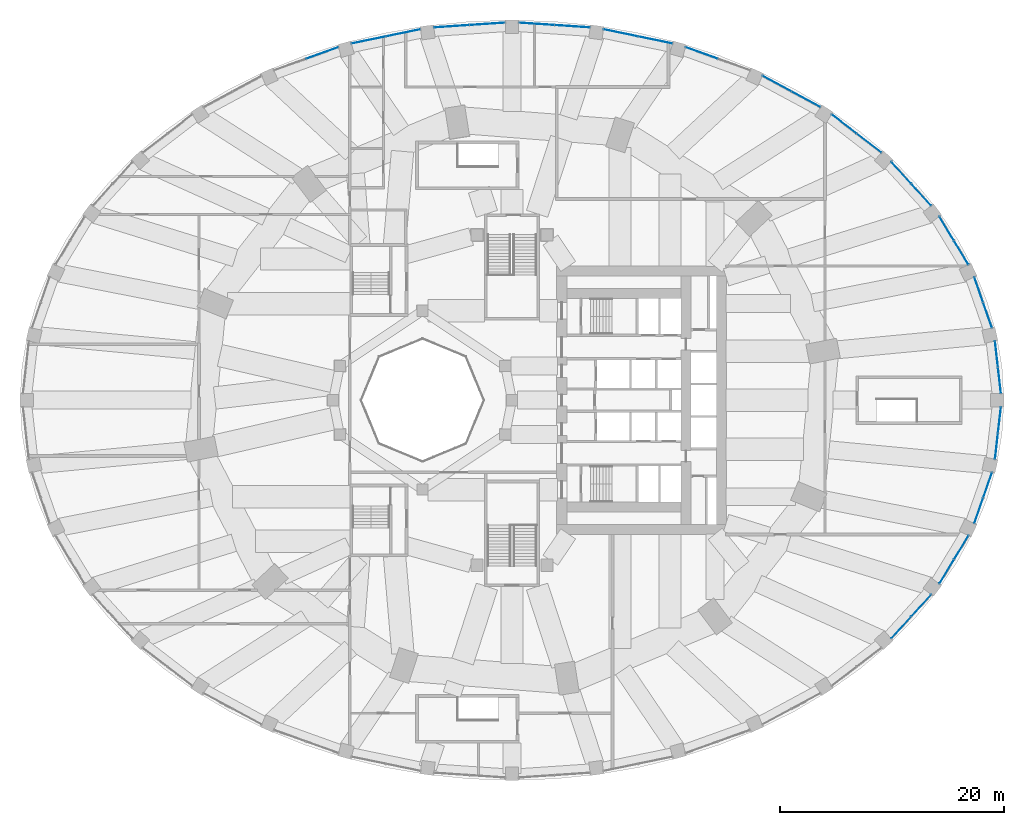
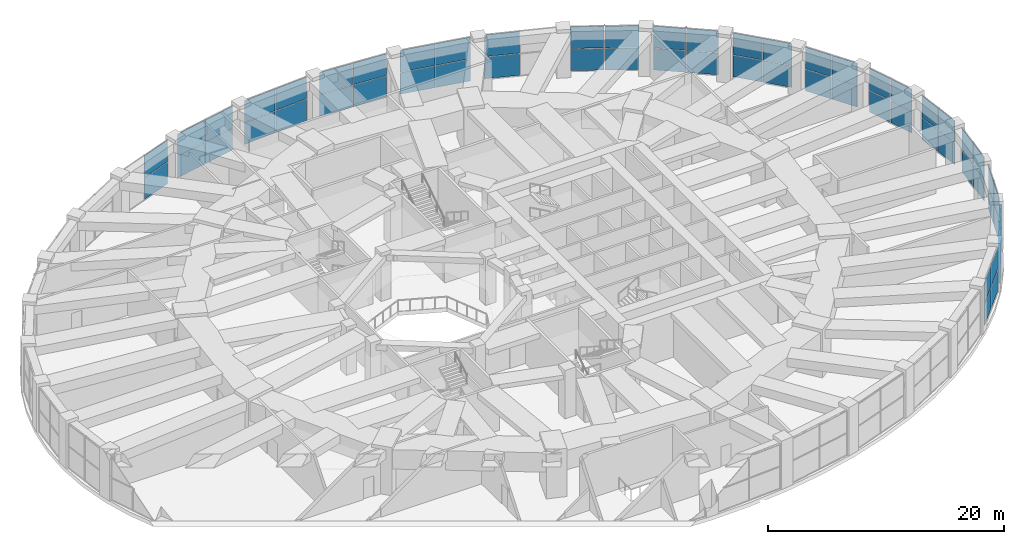
# One storey, part 20 of 30: 60 plates, 16 elements without a shape of their own.
"""IFC4 building model written with IfcOpenShell, lengths in metres."""

from ifc_helpers import new_model, si_unit, direction, frame, origin, origin_2d, place, context, subcontext, project, spatial, rectangle, extrude, material, layer, layer_set, type_object, element, aggregate, save


model = new_model("IFC4")

# Units and contexts
model_context = context("Model", 3, precision=1e-05, world=origin(), true_north=direction((0.0, 1.0)))
body_context = subcontext(model_context, "Body", "Model", "MODEL_VIEW")
ifc_project = project(units=[si_unit("LENGTHUNIT", "METRE"), si_unit("AREAUNIT", "SQUARE_METRE"), si_unit("VOLUMEUNIT", "CUBIC_METRE"), si_unit("PLANEANGLEUNIT", "RADIAN"), si_unit("MASSUNIT", "GRAM", prefix="KILO")], contexts=[model_context])

# Site, building, storey
site_placement = place(None, origin())
site = spatial("IfcSite", under=ifc_project, at=site_placement, CompositionType="ELEMENT")
building_placement = place(site_placement, origin())
building = spatial("IfcBuilding", under=site, at=building_placement, Name="Taillehof Tower", CompositionType="ELEMENT")
storey_placement = place(building_placement, frame((0.0, 0.0, 12.5)))
storey = spatial("IfcBuildingStorey", under=building, at=storey_placement, Name="L02", CompositionType="ELEMENT", Elevation=12.5)

# Curtain wall, plates
ifc_material_1 = material(Name="Aluminium curtain wall with Clear low-emissivity double glazing", Category="aluminium")
curtain_wall_type = type_object("IfcCurtainWallType", Name="Podium window wall curtain wall", PredefinedType="USERDEFINED", material=ifc_material_1)
curtain_wall_1_placement = place(storey_placement, origin())
curtain_wall_1 = element("IfcCurtainWall", 1, at=curtain_wall_1_placement, inside=storey, type_object=curtain_wall_type, Name="Podium window wall L02 bay 1", ObjectType="WINDOW WALL", PredefinedType="USERDEFINED")
ifc_material_2 = material(Name="Clear low-emissivity double glazing", Category="glass")
ifc_layer = layer(ifc_material_2, 0.028076171875)
ifc_layer_set = layer_set([ifc_layer], Name="Podium window wall glass panel 28")
plate_type = type_object("IfcPlateType", Name="Podium window wall glass panel 28", PredefinedType="CURTAIN_PANEL", material=ifc_layer_set)
plate_1_placement = place(storey_placement, frame((43.59716796875, 1.772216796875, 0.06005859375), z_axis=(0.0, 0.0, 1.0), x_axis=(-0.112932433888, 0.993602669771, 0.0)))
plate_1 = element("IfcPlate", 2, at=plate_1_placement, type_object=plate_type, Name="CT201 panel 1.1", PredefinedType="CURTAIN_PANEL", context=body_context, shape_type="SweptSolid", body=[
    extrude(rectangle(XDim=2.299560546875, YDim=0.028076171875, at=origin_2d()), origin(), (0.0, 0.0, 1.0), 2.235107421875),
])
plate_2_placement = place(storey_placement, frame((43.59716796875, 1.772216796875, 2.35498046875), z_axis=(0.0, 0.0, 1.0), x_axis=(-0.112932433888, 0.993602669771, 0.0)))
plate_2 = element("IfcPlate", 3, at=plate_2_placement, type_object=plate_type, Name="CT201 panel 1.2", PredefinedType="CURTAIN_PANEL", context=body_context, shape_type="SweptSolid", body=[
    extrude(rectangle(XDim=2.299560546875, YDim=0.028076171875, at=origin_2d()), origin(), (0.0, 0.0, 1.0), 2.235107421875),
])
plate_3_placement = place(storey_placement, frame((43.330810546875, 4.116455078125, 0.06005859375), z_axis=(0.0, 0.0, 1.0), x_axis=(-0.112932433888, 0.993602669771, 0.0)))
plate_3 = element("IfcPlate", 4, at=plate_3_placement, type_object=plate_type, Name="CT201 panel 2.1", PredefinedType="CURTAIN_PANEL", context=body_context, shape_type="SweptSolid", body=[
    extrude(rectangle(XDim=2.299560546875, YDim=0.028076171875, at=origin_2d()), origin(), (0.0, 0.0, 1.0), 2.235107421875),
])
plate_4_placement = place(storey_placement, frame((43.330810546875, 4.116455078125, 2.35498046875), z_axis=(0.0, 0.0, 1.0), x_axis=(-0.112932433888, 0.993602669771, 0.0)))
plate_4 = element("IfcPlate", 5, at=plate_4_placement, type_object=plate_type, Name="CT201 panel 2.2", PredefinedType="CURTAIN_PANEL", context=body_context, shape_type="SweptSolid", body=[
    extrude(rectangle(XDim=2.299560546875, YDim=0.028076171875, at=origin_2d()), origin(), (0.0, 0.0, 1.0), 2.235107421875),
])
aggregate(curtain_wall_1, [plate_1, plate_2, plate_3, plate_4])

curtain_wall_2_placement = place(storey_placement, origin())
curtain_wall_2 = element("IfcCurtainWall", 6, at=curtain_wall_2_placement, inside=storey, type_object=curtain_wall_type, Name="Podium window wall L02 bay 2", ObjectType="WINDOW WALL", PredefinedType="USERDEFINED")
plate_5_placement = place(storey_placement, frame((42.53369140625, 7.599853515625, 0.06005859375), z_axis=(0.0, 0.0, 1.0), x_axis=(-0.328757610934, 0.944414333464, 0.0)))
plate_5 = element("IfcPlate", 7, at=plate_5_placement, type_object=plate_type, Name="CT202 panel 1.1", PredefinedType="CURTAIN_PANEL", context=body_context, shape_type="SweptSolid", body=[
    extrude(rectangle(XDim=2.35693359375, YDim=0.028076171875, at=origin_2d()), origin(), (0.0, 0.0, 1.0), 2.235107421875),
])
plate_6_placement = place(storey_placement, frame((42.53369140625, 7.599853515625, 2.35498046875), z_axis=(0.0, 0.0, 1.0), x_axis=(-0.328757610934, 0.944414333464, 0.0)))
plate_6 = element("IfcPlate", 8, at=plate_6_placement, type_object=plate_type, Name="CT202 panel 1.2", PredefinedType="CURTAIN_PANEL", context=body_context, shape_type="SweptSolid", body=[
    extrude(rectangle(XDim=2.35693359375, YDim=0.028076171875, at=origin_2d()), origin(), (0.0, 0.0, 1.0), 2.235107421875),
])
plate_7_placement = place(storey_placement, frame((41.7392578125, 9.88232421875, 0.06005859375), z_axis=(0.0, 0.0, 1.0), x_axis=(-0.328757610934, 0.944414333464, 0.0)))
plate_7 = element("IfcPlate", 9, at=plate_7_placement, type_object=plate_type, Name="CT202 panel 2.1", PredefinedType="CURTAIN_PANEL", context=body_context, shape_type="SweptSolid", body=[
    extrude(rectangle(XDim=2.35693359375, YDim=0.028076171875, at=origin_2d()), origin(), (0.0, 0.0, 1.0), 2.235107421875),
])
plate_8_placement = place(storey_placement, frame((41.7392578125, 9.88232421875, 2.35498046875), z_axis=(0.0, 0.0, 1.0), x_axis=(-0.328757610934, 0.944414333464, 0.0)))
plate_8 = element("IfcPlate", 10, at=plate_8_placement, type_object=plate_type, Name="CT202 panel 2.2", PredefinedType="CURTAIN_PANEL", context=body_context, shape_type="SweptSolid", body=[
    extrude(rectangle(XDim=2.35693359375, YDim=0.028076171875, at=origin_2d()), origin(), (0.0, 0.0, 1.0), 2.235107421875),
])
aggregate(curtain_wall_2, [plate_5, plate_6, plate_7, plate_8])

curtain_wall_3_placement = place(storey_placement, origin())
curtain_wall_3 = element("IfcCurtainWall", 11, at=curtain_wall_3_placement, inside=storey, type_object=curtain_wall_type, Name="Podium window wall L02 bay 3", ObjectType="WINDOW WALL", PredefinedType="USERDEFINED")
plate_9_placement = place(storey_placement, frame((40.177490234375, 13.18798828125, 0.06005859375), z_axis=(0.0, 0.0, 1.0), x_axis=(-0.518151483931, 0.855288863309, 0.0)))
plate_9 = element("IfcPlate", 12, at=plate_9_placement, type_object=plate_type, Name="CT203 panel 1.1", PredefinedType="CURTAIN_PANEL", context=body_context, shape_type="SweptSolid", body=[
    extrude(rectangle(XDim=2.4619140625, YDim=0.028076171875, at=origin_2d()), origin(), (0.0, 0.0, 1.0), 2.235107421875),
])
plate_10_placement = place(storey_placement, frame((40.177490234375, 13.18798828125, 2.35498046875), z_axis=(0.0, 0.0, 1.0), x_axis=(-0.518151483931, 0.855288863309, 0.0)))
plate_10 = element("IfcPlate", 13, at=plate_10_placement, type_object=plate_type, Name="CT203 panel 1.2", PredefinedType="CURTAIN_PANEL", context=body_context, shape_type="SweptSolid", body=[
    extrude(rectangle(XDim=2.4619140625, YDim=0.028076171875, at=origin_2d()), origin(), (0.0, 0.0, 1.0), 2.235107421875),
])
plate_11_placement = place(storey_placement, frame((38.870849609375, 15.3447265625, 0.06005859375), z_axis=(0.0, 0.0, 1.0), x_axis=(-0.518151483931, 0.855288863309, 0.0)))
plate_11 = element("IfcPlate", 14, at=plate_11_placement, type_object=plate_type, Name="CT203 panel 2.1", PredefinedType="CURTAIN_PANEL", context=body_context, shape_type="SweptSolid", body=[
    extrude(rectangle(XDim=2.4619140625, YDim=0.028076171875, at=origin_2d()), origin(), (0.0, 0.0, 1.0), 2.235107421875),
])
plate_12_placement = place(storey_placement, frame((38.870849609375, 15.3447265625, 2.35498046875), z_axis=(0.0, 0.0, 1.0), x_axis=(-0.518151483931, 0.855288863309, 0.0)))
plate_12 = element("IfcPlate", 15, at=plate_12_placement, type_object=plate_type, Name="CT203 panel 2.2", PredefinedType="CURTAIN_PANEL", context=body_context, shape_type="SweptSolid", body=[
    extrude(rectangle(XDim=2.4619140625, YDim=0.028076171875, at=origin_2d()), origin(), (0.0, 0.0, 1.0), 2.235107421875),
])
aggregate(curtain_wall_3, [plate_9, plate_10, plate_11, plate_12])

curtain_wall_4_placement = place(storey_placement, origin())
curtain_wall_4 = element("IfcCurtainWall", 16, at=curtain_wall_4_placement, inside=storey, type_object=curtain_wall_type, Name="Podium window wall L02 bay 4", ObjectType="WINDOW WALL", PredefinedType="USERDEFINED")
plate_13_placement = place(storey_placement, frame((36.605224609375, 18.367919921875, 0.06005859375), z_axis=(0.0, 0.0, 1.0), x_axis=(-0.672928961769, 0.739707112587, 0.0)))
plate_13 = element("IfcPlate", 17, at=plate_13_placement, type_object=plate_type, Name="CT204 panel 1.1", PredefinedType="CURTAIN_PANEL", context=body_context, shape_type="SweptSolid", body=[
    extrude(rectangle(XDim=2.59814453125, YDim=0.028076171875, at=origin_2d()), origin(), (0.0, 0.0, 1.0), 2.235107421875),
])
plate_14_placement = place(storey_placement, frame((36.605224609375, 18.367919921875, 2.35498046875), z_axis=(0.0, 0.0, 1.0), x_axis=(-0.672928961769, 0.739707112587, 0.0)))
plate_14 = element("IfcPlate", 18, at=plate_14_placement, type_object=plate_type, Name="CT204 panel 1.2", PredefinedType="CURTAIN_PANEL", context=body_context, shape_type="SweptSolid", body=[
    extrude(rectangle(XDim=2.59814453125, YDim=0.028076171875, at=origin_2d()), origin(), (0.0, 0.0, 1.0), 2.235107421875),
])
plate_15_placement = place(storey_placement, frame((34.81640625, 20.333984375, 0.06005859375), z_axis=(0.0, 0.0, 1.0), x_axis=(-0.672928961769, 0.739707112587, 0.0)))
plate_15 = element("IfcPlate", 19, at=plate_15_placement, type_object=plate_type, Name="CT204 panel 2.1", PredefinedType="CURTAIN_PANEL", context=body_context, shape_type="SweptSolid", body=[
    extrude(rectangle(XDim=2.59814453125, YDim=0.028076171875, at=origin_2d()), origin(), (0.0, 0.0, 1.0), 2.235107421875),
])
plate_16_placement = place(storey_placement, frame((34.81640625, 20.333984375, 2.35498046875), z_axis=(0.0, 0.0, 1.0), x_axis=(-0.672928961769, 0.739707112587, 0.0)))
plate_16 = element("IfcPlate", 20, at=plate_16_placement, type_object=plate_type, Name="CT204 panel 2.2", PredefinedType="CURTAIN_PANEL", context=body_context, shape_type="SweptSolid", body=[
    extrude(rectangle(XDim=2.59814453125, YDim=0.028076171875, at=origin_2d()), origin(), (0.0, 0.0, 1.0), 2.235107421875),
])
aggregate(curtain_wall_4, [plate_13, plate_14, plate_15, plate_16])

curtain_wall_5_placement = place(storey_placement, origin())
curtain_wall_5 = element("IfcCurtainWall", 21, at=curtain_wall_5_placement, inside=storey, type_object=curtain_wall_type, Name="Podium window wall L02 bay 5", ObjectType="WINDOW WALL", PredefinedType="USERDEFINED")
plate_17_placement = place(storey_placement, frame((31.927490234375, 22.986083984375, 0.06005859375), z_axis=(0.0, 0.0, 1.0), x_axis=(-0.792453709228, 0.60993206075, 0.0)))
plate_17 = element("IfcPlate", 22, at=plate_17_placement, type_object=plate_type, Name="CT205 panel 1.1", PredefinedType="CURTAIN_PANEL", context=body_context, shape_type="SweptSolid", body=[
    extrude(rectangle(XDim=2.74658203125, YDim=0.028076171875, at=origin_2d()), origin(), (0.0, 0.0, 1.0), 2.235107421875),
])
plate_18_placement = place(storey_placement, frame((31.927490234375, 22.986083984375, 2.35498046875), z_axis=(0.0, 0.0, 1.0), x_axis=(-0.792453709228, 0.60993206075, 0.0)))
plate_18 = element("IfcPlate", 23, at=plate_18_placement, type_object=plate_type, Name="CT205 panel 1.2", PredefinedType="CURTAIN_PANEL", context=body_context, shape_type="SweptSolid", body=[
    extrude(rectangle(XDim=2.74658203125, YDim=0.028076171875, at=origin_2d()), origin(), (0.0, 0.0, 1.0), 2.235107421875),
])
plate_19_placement = place(storey_placement, frame((29.703369140625, 24.697998046875, 0.06005859375), z_axis=(0.0, 0.0, 1.0), x_axis=(-0.792453709228, 0.60993206075, 0.0)))
plate_19 = element("IfcPlate", 24, at=plate_19_placement, type_object=plate_type, Name="CT205 panel 2.1", PredefinedType="CURTAIN_PANEL", context=body_context, shape_type="SweptSolid", body=[
    extrude(rectangle(XDim=2.74658203125, YDim=0.028076171875, at=origin_2d()), origin(), (0.0, 0.0, 1.0), 2.235107421875),
])
plate_20_placement = place(storey_placement, frame((29.703369140625, 24.697998046875, 2.35498046875), z_axis=(0.0, 0.0, 1.0), x_axis=(-0.792453709228, 0.60993206075, 0.0)))
plate_20 = element("IfcPlate", 25, at=plate_20_placement, type_object=plate_type, Name="CT205 panel 2.2", PredefinedType="CURTAIN_PANEL", context=body_context, shape_type="SweptSolid", body=[
    extrude(rectangle(XDim=2.74658203125, YDim=0.028076171875, at=origin_2d()), origin(), (0.0, 0.0, 1.0), 2.235107421875),
])
aggregate(curtain_wall_5, [plate_17, plate_18, plate_19, plate_20])

curtain_wall_6_placement = place(storey_placement, origin())
curtain_wall_6 = element("IfcCurtainWall", 26, at=curtain_wall_6_placement, inside=storey, type_object=curtain_wall_type, Name="Podium window wall L02 bay 6", ObjectType="WINDOW WALL", PredefinedType="USERDEFINED")
plate_21_placement = place(storey_placement, frame((26.286376953125, 26.906005859375, 0.06005859375), z_axis=(0.0, 0.0, 1.0), x_axis=(-0.880301433958, 0.474414781992, 0.0)))
plate_21 = element("IfcPlate", 27, at=plate_21_placement, type_object=plate_type, Name="CT206 panel 1.1", PredefinedType="CURTAIN_PANEL", context=body_context, shape_type="SweptSolid", body=[
    extrude(rectangle(XDim=2.888916015625, YDim=0.028076171875, at=origin_2d()), origin(), (0.0, 0.0, 1.0), 2.235107421875),
])
plate_22_placement = place(storey_placement, frame((26.286376953125, 26.906005859375, 2.35498046875), z_axis=(0.0, 0.0, 1.0), x_axis=(-0.880301433958, 0.474414781992, 0.0)))
plate_22 = element("IfcPlate", 28, at=plate_22_placement, type_object=plate_type, Name="CT206 panel 1.2", PredefinedType="CURTAIN_PANEL", context=body_context, shape_type="SweptSolid", body=[
    extrude(rectangle(XDim=2.888916015625, YDim=0.028076171875, at=origin_2d()), origin(), (0.0, 0.0, 1.0), 2.235107421875),
])
plate_23_placement = place(storey_placement, frame((23.6904296875, 28.30517578125, 0.06005859375), z_axis=(0.0, 0.0, 1.0), x_axis=(-0.880301433958, 0.474414781992, 0.0)))
plate_23 = element("IfcPlate", 29, at=plate_23_placement, type_object=plate_type, Name="CT206 panel 2.1", PredefinedType="CURTAIN_PANEL", context=body_context, shape_type="SweptSolid", body=[
    extrude(rectangle(XDim=2.888916015625, YDim=0.028076171875, at=origin_2d()), origin(), (0.0, 0.0, 1.0), 2.235107421875),
])
plate_24_placement = place(storey_placement, frame((23.6904296875, 28.30517578125, 2.35498046875), z_axis=(0.0, 0.0, 1.0), x_axis=(-0.880301433958, 0.474414781992, 0.0)))
plate_24 = element("IfcPlate", 30, at=plate_24_placement, type_object=plate_type, Name="CT206 panel 2.2", PredefinedType="CURTAIN_PANEL", context=body_context, shape_type="SweptSolid", body=[
    extrude(rectangle(XDim=2.888916015625, YDim=0.028076171875, at=origin_2d()), origin(), (0.0, 0.0, 1.0), 2.235107421875),
])
aggregate(curtain_wall_6, [plate_21, plate_22, plate_23, plate_24])

curtain_wall_7_placement = place(storey_placement, origin())
curtain_wall_7 = element("IfcCurtainWall", 31, at=curtain_wall_7_placement, inside=storey, type_object=curtain_wall_type, Name="Podium window wall L02 bay 7", ObjectType="WINDOW WALL", PredefinedType="USERDEFINED")
plate_25_placement = place(storey_placement, frame((16.962646484375, 31.048583984375, 0.06005859375), z_axis=(0.0, 0.0, 1.0), x_axis=(-0.94121845058, 0.337798502496, 0.0)))
plate_25 = element("IfcPlate", 32, at=plate_25_placement, type_object=plate_type, Name="CT207 panel 2.1", PredefinedType="CURTAIN_PANEL", context=body_context, shape_type="SweptSolid", body=[
    extrude(rectangle(XDim=3.009765625, YDim=0.028076171875, at=origin_2d()), origin(), (0.0, 0.0, 1.0), 2.235107421875),
])
plate_26_placement = place(storey_placement, frame((16.962646484375, 31.048583984375, 2.35498046875), z_axis=(0.0, 0.0, 1.0), x_axis=(-0.94121845058, 0.337798502496, 0.0)))
plate_26 = element("IfcPlate", 33, at=plate_26_placement, type_object=plate_type, Name="CT207 panel 2.2", PredefinedType="CURTAIN_PANEL", context=body_context, shape_type="SweptSolid", body=[
    extrude(rectangle(XDim=3.009765625, YDim=0.028076171875, at=origin_2d()), origin(), (0.0, 0.0, 1.0), 2.235107421875),
])
aggregate(curtain_wall_7, [plate_25, plate_26])

curtain_wall_8_placement = place(storey_placement, origin())
curtain_wall_8 = element("IfcCurtainWall", 34, at=curtain_wall_8_placement, inside=storey, type_object=curtain_wall_type, Name="Podium window wall L02 bay 8", ObjectType="WINDOW WALL", PredefinedType="USERDEFINED")
plate_27_placement = place(storey_placement, frame((12.81689453125, 32.210693359375, 0.06005859375), z_axis=(0.0, 0.0, 1.0), x_axis=(-0.97939047099, 0.201976001877, 0.0)))
plate_27 = element("IfcPlate", 35, at=plate_27_placement, type_object=plate_type, Name="CT208 panel 1.1", PredefinedType="CURTAIN_PANEL", context=body_context, shape_type="SweptSolid", body=[
    extrude(rectangle(XDim=3.0966796875, YDim=0.028076171875, at=origin_2d()), origin(), (0.0, 0.0, 1.0), 2.235107421875),
])
plate_28_placement = place(storey_placement, frame((12.81689453125, 32.210693359375, 2.35498046875), z_axis=(0.0, 0.0, 1.0), x_axis=(-0.97939047099, 0.201976001877, 0.0)))
plate_28 = element("IfcPlate", 36, at=plate_28_placement, type_object=plate_type, Name="CT208 panel 1.2", PredefinedType="CURTAIN_PANEL", context=body_context, shape_type="SweptSolid", body=[
    extrude(rectangle(XDim=3.0966796875, YDim=0.028076171875, at=origin_2d()), origin(), (0.0, 0.0, 1.0), 2.235107421875),
])
plate_29_placement = place(storey_placement, frame((9.72509765625, 32.84814453125, 0.06005859375), z_axis=(0.0, 0.0, 1.0), x_axis=(-0.97939047099, 0.201976001877, 0.0)))
plate_29 = element("IfcPlate", 37, at=plate_29_placement, type_object=plate_type, Name="CT208 panel 2.1", PredefinedType="CURTAIN_PANEL", context=body_context, shape_type="SweptSolid", body=[
    extrude(rectangle(XDim=3.0966796875, YDim=0.028076171875, at=origin_2d()), origin(), (0.0, 0.0, 1.0), 2.235107421875),
])
plate_30_placement = place(storey_placement, frame((9.72509765625, 32.84814453125, 2.35498046875), z_axis=(0.0, 0.0, 1.0), x_axis=(-0.97939047099, 0.201976001877, 0.0)))
plate_30 = element("IfcPlate", 38, at=plate_30_placement, type_object=plate_type, Name="CT208 panel 2.2", PredefinedType="CURTAIN_PANEL", context=body_context, shape_type="SweptSolid", body=[
    extrude(rectangle(XDim=3.0966796875, YDim=0.028076171875, at=origin_2d()), origin(), (0.0, 0.0, 1.0), 2.235107421875),
])
aggregate(curtain_wall_8, [plate_27, plate_28, plate_29, plate_30])

curtain_wall_9_placement = place(storey_placement, origin())
curtain_wall_9 = element("IfcCurtainWall", 39, at=curtain_wall_9_placement, inside=storey, type_object=curtain_wall_type, Name="Podium window wall L02 bay 9", ObjectType="WINDOW WALL", PredefinedType="USERDEFINED")
plate_31_placement = place(storey_placement, frame((5.392578125, 33.4365234375, 0.06005859375), z_axis=(0.0, 0.0, 1.0), x_axis=(-0.997740670644, 0.067182989977, 0.0)))
plate_31 = element("IfcPlate", 40, at=plate_31_placement, type_object=plate_type, Name="CT209 panel 1.1", PredefinedType="CURTAIN_PANEL", context=body_context, shape_type="SweptSolid", body=[
    extrude(rectangle(XDim=3.142333984375, YDim=0.028076171875, at=origin_2d()), origin(), (0.0, 0.0, 1.0), 2.235107421875),
])
plate_32_placement = place(storey_placement, frame((5.392578125, 33.4365234375, 2.35498046875), z_axis=(0.0, 0.0, 1.0), x_axis=(-0.997740670644, 0.067182989977, 0.0)))
plate_32 = element("IfcPlate", 41, at=plate_32_placement, type_object=plate_type, Name="CT209 panel 1.2", PredefinedType="CURTAIN_PANEL", context=body_context, shape_type="SweptSolid", body=[
    extrude(rectangle(XDim=3.142333984375, YDim=0.028076171875, at=origin_2d()), origin(), (0.0, 0.0, 1.0), 2.235107421875),
])
plate_33_placement = place(storey_placement, frame((2.197509765625, 33.651611328125, 0.06005859375), z_axis=(0.0, 0.0, 1.0), x_axis=(-0.997740670644, 0.067182989977, 0.0)))
plate_33 = element("IfcPlate", 42, at=plate_33_placement, type_object=plate_type, Name="CT209 panel 2.1", PredefinedType="CURTAIN_PANEL", context=body_context, shape_type="SweptSolid", body=[
    extrude(rectangle(XDim=3.142333984375, YDim=0.028076171875, at=origin_2d()), origin(), (0.0, 0.0, 1.0), 2.235107421875),
])
plate_34_placement = place(storey_placement, frame((2.197509765625, 33.651611328125, 2.35498046875), z_axis=(0.0, 0.0, 1.0), x_axis=(-0.997740670644, 0.067182989977, 0.0)))
plate_34 = element("IfcPlate", 43, at=plate_34_placement, type_object=plate_type, Name="CT209 panel 2.2", PredefinedType="CURTAIN_PANEL", context=body_context, shape_type="SweptSolid", body=[
    extrude(rectangle(XDim=3.142333984375, YDim=0.028076171875, at=origin_2d()), origin(), (0.0, 0.0, 1.0), 2.235107421875),
])
aggregate(curtain_wall_9, [plate_31, plate_32, plate_33, plate_34])

curtain_wall_10_placement = place(storey_placement, origin())
curtain_wall_10 = element("IfcCurtainWall", 44, at=curtain_wall_10_placement, inside=storey, type_object=curtain_wall_type, Name="Podium window wall L02 bay 10", ObjectType="WINDOW WALL", PredefinedType="USERDEFINED")
plate_35_placement = place(storey_placement, frame((-2.197509765625, 33.651611328125, 0.06005859375), z_axis=(0.0, 0.0, 1.0), x_axis=(-0.997740670644, -0.067182989977, 0.0)))
plate_35 = element("IfcPlate", 45, at=plate_35_placement, type_object=plate_type, Name="CT210 panel 1.1", PredefinedType="CURTAIN_PANEL", context=body_context, shape_type="SweptSolid", body=[
    extrude(rectangle(XDim=3.142333984375, YDim=0.028076171875, at=origin_2d()), origin(), (0.0, 0.0, 1.0), 2.235107421875),
])
plate_36_placement = place(storey_placement, frame((-2.197509765625, 33.651611328125, 2.35498046875), z_axis=(0.0, 0.0, 1.0), x_axis=(-0.997740670644, -0.067182989977, 0.0)))
plate_36 = element("IfcPlate", 46, at=plate_36_placement, type_object=plate_type, Name="CT210 panel 1.2", PredefinedType="CURTAIN_PANEL", context=body_context, shape_type="SweptSolid", body=[
    extrude(rectangle(XDim=3.142333984375, YDim=0.028076171875, at=origin_2d()), origin(), (0.0, 0.0, 1.0), 2.235107421875),
])
plate_37_placement = place(storey_placement, frame((-5.392578125, 33.4365234375, 0.06005859375), z_axis=(0.0, 0.0, 1.0), x_axis=(-0.997740670644, -0.067182989977, 0.0)))
plate_37 = element("IfcPlate", 47, at=plate_37_placement, type_object=plate_type, Name="CT210 panel 2.1", PredefinedType="CURTAIN_PANEL", context=body_context, shape_type="SweptSolid", body=[
    extrude(rectangle(XDim=3.142333984375, YDim=0.028076171875, at=origin_2d()), origin(), (0.0, 0.0, 1.0), 2.235107421875),
])
plate_38_placement = place(storey_placement, frame((-5.392578125, 33.4365234375, 2.35498046875), z_axis=(0.0, 0.0, 1.0), x_axis=(-0.997740670644, -0.067182989977, 0.0)))
plate_38 = element("IfcPlate", 48, at=plate_38_placement, type_object=plate_type, Name="CT210 panel 2.2", PredefinedType="CURTAIN_PANEL", context=body_context, shape_type="SweptSolid", body=[
    extrude(rectangle(XDim=3.142333984375, YDim=0.028076171875, at=origin_2d()), origin(), (0.0, 0.0, 1.0), 2.235107421875),
])
aggregate(curtain_wall_10, [plate_35, plate_36, plate_37, plate_38])

curtain_wall_11_placement = place(storey_placement, origin())
curtain_wall_11 = element("IfcCurtainWall", 49, at=curtain_wall_11_placement, inside=storey, type_object=curtain_wall_type, Name="Podium window wall L02 bay 11", ObjectType="WINDOW WALL", PredefinedType="USERDEFINED")
plate_39_placement = place(storey_placement, frame((-9.72509765625, 32.84814453125, 0.06005859375), z_axis=(0.0, 0.0, 1.0), x_axis=(-0.97939047099, -0.201976001877, 0.0)))
plate_39 = element("IfcPlate", 50, at=plate_39_placement, type_object=plate_type, Name="CT211 panel 1.1", PredefinedType="CURTAIN_PANEL", context=body_context, shape_type="SweptSolid", body=[
    extrude(rectangle(XDim=3.0966796875, YDim=0.028076171875, at=origin_2d()), origin(), (0.0, 0.0, 1.0), 2.235107421875),
])
plate_40_placement = place(storey_placement, frame((-9.72509765625, 32.84814453125, 2.35498046875), z_axis=(0.0, 0.0, 1.0), x_axis=(-0.97939047099, -0.201976001877, 0.0)))
plate_40 = element("IfcPlate", 51, at=plate_40_placement, type_object=plate_type, Name="CT211 panel 1.2", PredefinedType="CURTAIN_PANEL", context=body_context, shape_type="SweptSolid", body=[
    extrude(rectangle(XDim=3.0966796875, YDim=0.028076171875, at=origin_2d()), origin(), (0.0, 0.0, 1.0), 2.235107421875),
])
plate_41_placement = place(storey_placement, frame((-12.81689453125, 32.210693359375, 0.06005859375), z_axis=(0.0, 0.0, 1.0), x_axis=(-0.97939047099, -0.201976001877, 0.0)))
plate_41 = element("IfcPlate", 52, at=plate_41_placement, type_object=plate_type, Name="CT211 panel 2.1", PredefinedType="CURTAIN_PANEL", context=body_context, shape_type="SweptSolid", body=[
    extrude(rectangle(XDim=3.0966796875, YDim=0.028076171875, at=origin_2d()), origin(), (0.0, 0.0, 1.0), 2.235107421875),
])
plate_42_placement = place(storey_placement, frame((-12.81689453125, 32.210693359375, 2.35498046875), z_axis=(0.0, 0.0, 1.0), x_axis=(-0.97939047099, -0.201976001877, 0.0)))
plate_42 = element("IfcPlate", 53, at=plate_42_placement, type_object=plate_type, Name="CT211 panel 2.2", PredefinedType="CURTAIN_PANEL", context=body_context, shape_type="SweptSolid", body=[
    extrude(rectangle(XDim=3.0966796875, YDim=0.028076171875, at=origin_2d()), origin(), (0.0, 0.0, 1.0), 2.235107421875),
])
aggregate(curtain_wall_11, [plate_39, plate_40, plate_41, plate_42])

curtain_wall_12_placement = place(storey_placement, origin())
curtain_wall_12 = element("IfcCurtainWall", 54, at=curtain_wall_12_placement, inside=storey, type_object=curtain_wall_type, Name="Podium window wall L02 bay 12", ObjectType="WINDOW WALL", PredefinedType="USERDEFINED")
plate_43_placement = place(storey_placement, frame((-16.962646484375, 31.048583984375, 0.06005859375), z_axis=(0.0, 0.0, 1.0), x_axis=(-0.94121845058, -0.337798502496, 0.0)))
plate_43 = element("IfcPlate", 55, at=plate_43_placement, type_object=plate_type, Name="CT212 panel 1.1", PredefinedType="CURTAIN_PANEL", context=body_context, shape_type="SweptSolid", body=[
    extrude(rectangle(XDim=3.009765625, YDim=0.028076171875, at=origin_2d()), origin(), (0.0, 0.0, 1.0), 2.235107421875),
])
plate_44_placement = place(storey_placement, frame((-16.962646484375, 31.048583984375, 2.35498046875), z_axis=(0.0, 0.0, 1.0), x_axis=(-0.94121845058, -0.337798502496, 0.0)))
plate_44 = element("IfcPlate", 56, at=plate_44_placement, type_object=plate_type, Name="CT212 panel 1.2", PredefinedType="CURTAIN_PANEL", context=body_context, shape_type="SweptSolid", body=[
    extrude(rectangle(XDim=3.009765625, YDim=0.028076171875, at=origin_2d()), origin(), (0.0, 0.0, 1.0), 2.235107421875),
])
aggregate(curtain_wall_12, [plate_43, plate_44])

curtain_wall_13_placement = place(storey_placement, origin())
curtain_wall_13 = element("IfcCurtainWall", 57, at=curtain_wall_13_placement, inside=storey, type_object=curtain_wall_type, Name="Podium window wall L02 bay 33", ObjectType="WINDOW WALL", PredefinedType="USERDEFINED")
plate_45_placement = place(storey_placement, frame((34.81640625, -20.333984375, 0.06005859375), z_axis=(0.0, 0.0, 1.0), x_axis=(0.672928961769, 0.739707112587, 0.0)))
plate_45 = element("IfcPlate", 58, at=plate_45_placement, type_object=plate_type, Name="CT233 panel 1.1", PredefinedType="CURTAIN_PANEL", context=body_context, shape_type="SweptSolid", body=[
    extrude(rectangle(XDim=2.59814453125, YDim=0.028076171875, at=origin_2d()), origin(), (0.0, 0.0, 1.0), 2.235107421875),
])
plate_46_placement = place(storey_placement, frame((34.81640625, -20.333984375, 2.35498046875), z_axis=(0.0, 0.0, 1.0), x_axis=(0.672928961769, 0.739707112587, 0.0)))
plate_46 = element("IfcPlate", 59, at=plate_46_placement, type_object=plate_type, Name="CT233 panel 1.2", PredefinedType="CURTAIN_PANEL", context=body_context, shape_type="SweptSolid", body=[
    extrude(rectangle(XDim=2.59814453125, YDim=0.028076171875, at=origin_2d()), origin(), (0.0, 0.0, 1.0), 2.235107421875),
])
plate_47_placement = place(storey_placement, frame((36.605224609375, -18.367919921875, 0.06005859375), z_axis=(0.0, 0.0, 1.0), x_axis=(0.672928961769, 0.739707112587, 0.0)))
plate_47 = element("IfcPlate", 60, at=plate_47_placement, type_object=plate_type, Name="CT233 panel 2.1", PredefinedType="CURTAIN_PANEL", context=body_context, shape_type="SweptSolid", body=[
    extrude(rectangle(XDim=2.59814453125, YDim=0.028076171875, at=origin_2d()), origin(), (0.0, 0.0, 1.0), 2.235107421875),
])
plate_48_placement = place(storey_placement, frame((36.605224609375, -18.367919921875, 2.35498046875), z_axis=(0.0, 0.0, 1.0), x_axis=(0.672928961769, 0.739707112587, 0.0)))
plate_48 = element("IfcPlate", 61, at=plate_48_placement, type_object=plate_type, Name="CT233 panel 2.2", PredefinedType="CURTAIN_PANEL", context=body_context, shape_type="SweptSolid", body=[
    extrude(rectangle(XDim=2.59814453125, YDim=0.028076171875, at=origin_2d()), origin(), (0.0, 0.0, 1.0), 2.235107421875),
])
aggregate(curtain_wall_13, [plate_45, plate_46, plate_47, plate_48])

curtain_wall_14_placement = place(storey_placement, origin())
curtain_wall_14 = element("IfcCurtainWall", 62, at=curtain_wall_14_placement, inside=storey, type_object=curtain_wall_type, Name="Podium window wall L02 bay 34", ObjectType="WINDOW WALL", PredefinedType="USERDEFINED")
plate_49_placement = place(storey_placement, frame((38.870849609375, -15.3447265625, 0.06005859375), z_axis=(0.0, 0.0, 1.0), x_axis=(0.518151483931, 0.855288863309, 0.0)))
plate_49 = element("IfcPlate", 63, at=plate_49_placement, type_object=plate_type, Name="CT234 panel 1.1", PredefinedType="CURTAIN_PANEL", context=body_context, shape_type="SweptSolid", body=[
    extrude(rectangle(XDim=2.4619140625, YDim=0.028076171875, at=origin_2d()), origin(), (0.0, 0.0, 1.0), 2.235107421875),
])
plate_50_placement = place(storey_placement, frame((38.870849609375, -15.3447265625, 2.35498046875), z_axis=(0.0, 0.0, 1.0), x_axis=(0.518151483931, 0.855288863309, 0.0)))
plate_50 = element("IfcPlate", 64, at=plate_50_placement, type_object=plate_type, Name="CT234 panel 1.2", PredefinedType="CURTAIN_PANEL", context=body_context, shape_type="SweptSolid", body=[
    extrude(rectangle(XDim=2.4619140625, YDim=0.028076171875, at=origin_2d()), origin(), (0.0, 0.0, 1.0), 2.235107421875),
])
plate_51_placement = place(storey_placement, frame((40.177490234375, -13.18798828125, 0.06005859375), z_axis=(0.0, 0.0, 1.0), x_axis=(0.518151483931, 0.855288863309, 0.0)))
plate_51 = element("IfcPlate", 65, at=plate_51_placement, type_object=plate_type, Name="CT234 panel 2.1", PredefinedType="CURTAIN_PANEL", context=body_context, shape_type="SweptSolid", body=[
    extrude(rectangle(XDim=2.4619140625, YDim=0.028076171875, at=origin_2d()), origin(), (0.0, 0.0, 1.0), 2.235107421875),
])
plate_52_placement = place(storey_placement, frame((40.177490234375, -13.18798828125, 2.35498046875), z_axis=(0.0, 0.0, 1.0), x_axis=(0.518151483931, 0.855288863309, 0.0)))
plate_52 = element("IfcPlate", 66, at=plate_52_placement, type_object=plate_type, Name="CT234 panel 2.2", PredefinedType="CURTAIN_PANEL", context=body_context, shape_type="SweptSolid", body=[
    extrude(rectangle(XDim=2.4619140625, YDim=0.028076171875, at=origin_2d()), origin(), (0.0, 0.0, 1.0), 2.235107421875),
])
aggregate(curtain_wall_14, [plate_49, plate_50, plate_51, plate_52])

curtain_wall_15_placement = place(storey_placement, origin())
curtain_wall_15 = element("IfcCurtainWall", 67, at=curtain_wall_15_placement, inside=storey, type_object=curtain_wall_type, Name="Podium window wall L02 bay 35", ObjectType="WINDOW WALL", PredefinedType="USERDEFINED")
plate_53_placement = place(storey_placement, frame((41.7392578125, -9.88232421875, 0.06005859375), z_axis=(0.0, 0.0, 1.0), x_axis=(0.328757610934, 0.944414333464, 0.0)))
plate_53 = element("IfcPlate", 68, at=plate_53_placement, type_object=plate_type, Name="CT235 panel 1.1", PredefinedType="CURTAIN_PANEL", context=body_context, shape_type="SweptSolid", body=[
    extrude(rectangle(XDim=2.35693359375, YDim=0.028076171875, at=origin_2d()), origin(), (0.0, 0.0, 1.0), 2.235107421875),
])
plate_54_placement = place(storey_placement, frame((41.7392578125, -9.88232421875, 2.35498046875), z_axis=(0.0, 0.0, 1.0), x_axis=(0.328757610934, 0.944414333464, 0.0)))
plate_54 = element("IfcPlate", 69, at=plate_54_placement, type_object=plate_type, Name="CT235 panel 1.2", PredefinedType="CURTAIN_PANEL", context=body_context, shape_type="SweptSolid", body=[
    extrude(rectangle(XDim=2.35693359375, YDim=0.028076171875, at=origin_2d()), origin(), (0.0, 0.0, 1.0), 2.235107421875),
])
plate_55_placement = place(storey_placement, frame((42.53369140625, -7.599853515625, 0.06005859375), z_axis=(0.0, 0.0, 1.0), x_axis=(0.328757610934, 0.944414333464, 0.0)))
plate_55 = element("IfcPlate", 70, at=plate_55_placement, type_object=plate_type, Name="CT235 panel 2.1", PredefinedType="CURTAIN_PANEL", context=body_context, shape_type="SweptSolid", body=[
    extrude(rectangle(XDim=2.35693359375, YDim=0.028076171875, at=origin_2d()), origin(), (0.0, 0.0, 1.0), 2.235107421875),
])
plate_56_placement = place(storey_placement, frame((42.53369140625, -7.599853515625, 2.35498046875), z_axis=(0.0, 0.0, 1.0), x_axis=(0.328757610934, 0.944414333464, 0.0)))
plate_56 = element("IfcPlate", 71, at=plate_56_placement, type_object=plate_type, Name="CT235 panel 2.2", PredefinedType="CURTAIN_PANEL", context=body_context, shape_type="SweptSolid", body=[
    extrude(rectangle(XDim=2.35693359375, YDim=0.028076171875, at=origin_2d()), origin(), (0.0, 0.0, 1.0), 2.235107421875),
])
aggregate(curtain_wall_15, [plate_53, plate_54, plate_55, plate_56])

curtain_wall_16_placement = place(storey_placement, origin())
curtain_wall_16 = element("IfcCurtainWall", 72, at=curtain_wall_16_placement, inside=storey, type_object=curtain_wall_type, Name="Podium window wall L02 bay 36", ObjectType="WINDOW WALL", PredefinedType="USERDEFINED")
plate_57_placement = place(storey_placement, frame((43.330810546875, -4.116455078125, 0.06005859375), z_axis=(0.0, 0.0, 1.0), x_axis=(0.112932433888, 0.993602669771, 0.0)))
plate_57 = element("IfcPlate", 73, at=plate_57_placement, type_object=plate_type, Name="CT236 panel 1.1", PredefinedType="CURTAIN_PANEL", context=body_context, shape_type="SweptSolid", body=[
    extrude(rectangle(XDim=2.299560546875, YDim=0.028076171875, at=origin_2d()), origin(), (0.0, 0.0, 1.0), 2.235107421875),
])
plate_58_placement = place(storey_placement, frame((43.330810546875, -4.116455078125, 2.35498046875), z_axis=(0.0, 0.0, 1.0), x_axis=(0.112932433888, 0.993602669771, 0.0)))
plate_58 = element("IfcPlate", 74, at=plate_58_placement, type_object=plate_type, Name="CT236 panel 1.2", PredefinedType="CURTAIN_PANEL", context=body_context, shape_type="SweptSolid", body=[
    extrude(rectangle(XDim=2.299560546875, YDim=0.028076171875, at=origin_2d()), origin(), (0.0, 0.0, 1.0), 2.235107421875),
])
plate_59_placement = place(storey_placement, frame((43.59716796875, -1.772216796875, 0.06005859375), z_axis=(0.0, 0.0, 1.0), x_axis=(0.112932433888, 0.993602669771, 0.0)))
plate_59 = element("IfcPlate", 75, at=plate_59_placement, type_object=plate_type, Name="CT236 panel 2.1", PredefinedType="CURTAIN_PANEL", context=body_context, shape_type="SweptSolid", body=[
    extrude(rectangle(XDim=2.299560546875, YDim=0.028076171875, at=origin_2d()), origin(), (0.0, 0.0, 1.0), 2.235107421875),
])
plate_60_placement = place(storey_placement, frame((43.59716796875, -1.772216796875, 2.35498046875), z_axis=(0.0, 0.0, 1.0), x_axis=(0.112932433888, 0.993602669771, 0.0)))
plate_60 = element("IfcPlate", 76, at=plate_60_placement, type_object=plate_type, Name="CT236 panel 2.2", PredefinedType="CURTAIN_PANEL", context=body_context, shape_type="SweptSolid", body=[
    extrude(rectangle(XDim=2.299560546875, YDim=0.028076171875, at=origin_2d()), origin(), (0.0, 0.0, 1.0), 2.235107421875),
])
aggregate(curtain_wall_16, [plate_57, plate_58, plate_59, plate_60])

save(model, "model.ifc")
